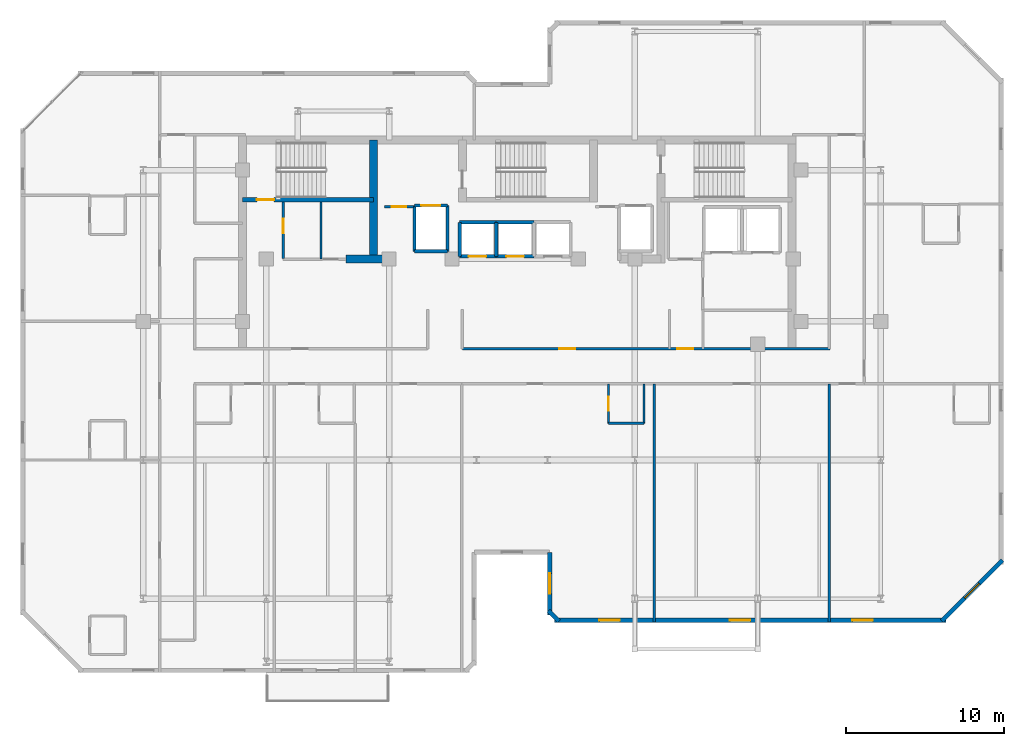
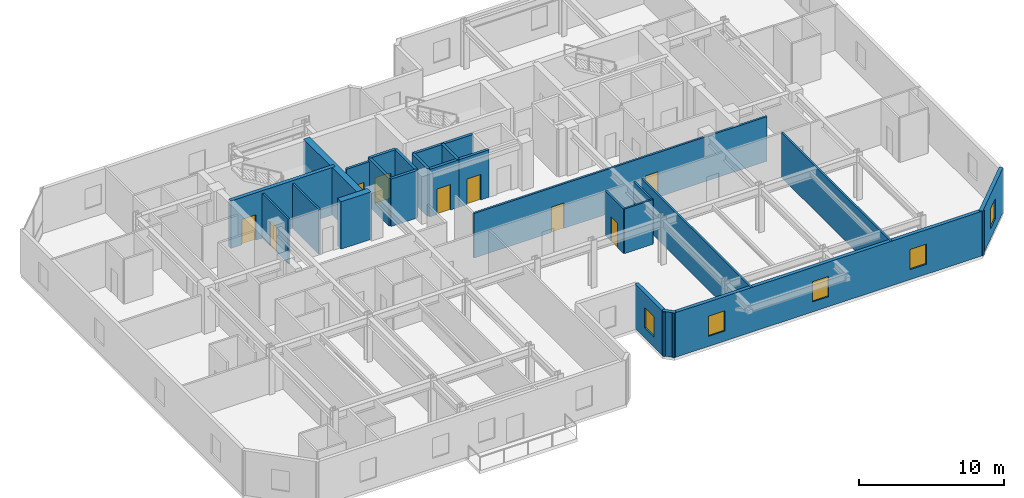
# One storey, part 5 of 10: 26 walls, 9 doors, 5 windows, 14 openings.
"""IFC4 building model written with IfcOpenShell, lengths in metres."""

from ifc_helpers import new_model, si_unit, direction, frame, frame_2d, origin, place, context, subcontext, project, spatial, rectangle, extrude, material, layer, layer_set, type_object, element, fill, save


model = new_model("IFC4")

# Units and contexts
model_context = context("Model", 3, precision=1e-05, world=origin(), true_north=direction((0.0, 1.0)))
body_context = subcontext(model_context, "Body", "Model", "MODEL_VIEW")
ifc_project = project(units=[si_unit("LENGTHUNIT", "METRE"), si_unit("AREAUNIT", "SQUARE_METRE"), si_unit("VOLUMEUNIT", "CUBIC_METRE"), si_unit("PLANEANGLEUNIT", "RADIAN"), si_unit("MASSUNIT", "GRAM", prefix="KILO")], contexts=[model_context])

# Site, building, storey
site_placement = place(None, origin())
site = spatial("IfcSite", under=ifc_project, at=site_placement, CompositionType="ELEMENT")
building_placement = place(site_placement, origin())
building = spatial("IfcBuilding", under=site, at=building_placement, Name="Kestravale Grand Hotel", CompositionType="ELEMENT")
storey_placement = place(building_placement, frame((0.0, 0.0, 281.39990234375)))
storey = spatial("IfcBuildingStorey", under=building, at=storey_placement, Name="L70", CompositionType="ELEMENT", Elevation=281.39990234375)

# Walls
ifc_material_1 = material(Name="Concrete f'c 50 MPa", Category="concrete")
ifc_layer_1 = layer(ifc_material_1, 0.5)
ifc_layer_set_1 = layer_set([ifc_layer_1], Name="EW-CORE-500")
wall_type_1 = type_object("IfcWallType", Name="EW-CORE-500", PredefinedType="SHEAR", material=ifc_layer_set_1)
wall_1_placement = place(storey_placement, frame((28.449951171875, 32.75, 0.0), z_axis=(0.0, 0.0, 1.0), x_axis=(1.0, 0.0, 0.0)))
element("IfcWall", 1, at=wall_1_placement, inside=storey, type_object=wall_type_1, Name="L70 core shear wall S1", PredefinedType="SHEAR", context=body_context, shape_type="SweptSolid", body=[
    extrude(rectangle(XDim=2.400146484375, YDim=0.5, at=frame_2d((1.2001953125, 0.0))), origin(), (0.0, 0.0, 1.0), 4.0),
])
wall_2_placement = place(storey_placement, frame((30.219970703125, 33.0, 0.0), z_axis=(0.0, 0.0, 1.0), x_axis=(0.0, 1.0, 0.0)))
element("IfcWall", 2, at=wall_2_placement, inside=storey, type_object=wall_type_1, Name="L70 core shear wall X1", PredefinedType="SHEAR", context=body_context, shape_type="SweptSolid", body=[
    extrude(rectangle(XDim=7.320068359375, YDim=0.5, at=frame_2d((3.66015625, 0.0))), origin(), (0.0, 0.0, 1.0), 4.0),
])

# Wall, opening, window
ifc_material_2 = material(Name="Precast concrete f'c 45 MPa", Category="concrete")
ifc_layer_2 = layer(ifc_material_2, 0.280029296875)
ifc_layer_set_2 = layer_set([ifc_layer_2], Name="EW-PREC-280")
wall_type_2 = type_object("IfcWallType", Name="EW-PREC-280", PredefinedType="SOLIDWALL", material=ifc_layer_set_2)
wall_3_placement = place(storey_placement, frame((41.389892578125, 14.139892578125, 0.0), z_axis=(0.0, 0.0, 1.0), x_axis=(0.0, -1.0, 0.0)))
wall_3 = element("IfcWall", 3, at=wall_3_placement, inside=storey, type_object=wall_type_2, Name="L70 fluted precast facade wall 5", PredefinedType="SOLIDWALL", context=body_context, shape_type="SweptSolid", body=[
    extrude(rectangle(XDim=3.97998046875, YDim=0.280029296875, at=frame_2d((1.989990234375, 0.0))), origin(), (0.0, 0.0, 1.0), 3.760009765625),
])
opening_1_placement = place(wall_3_placement, frame((1.340087890625, 0.0, 0.85009765625)))
opening_1 = element("IfcOpeningElement", 4, at=opening_1_placement, cuts=wall_3, Name="Opening W-GUEST-1300", PredefinedType="OPENING", context=body_context, shape_type="SweptSolid", body=[
    extrude(rectangle(XDim=1.300048828125, YDim=1.699951171875, at=frame_2d((0.64990234375, 0.85009765625))), frame((0.0, 0.14990234375, 0.0), z_axis=(0.0, -1.0, 0.0), x_axis=(1.0, 0.0, 0.0)), (0.0, 0.0, 1.0), 0.300048828125),
])
ifc_material_3 = material(Name="Insulated low-E double glazing in aluminium frame", Category="aluminium")
window_type = type_object("IfcWindowType", Name="W-GUEST-1300", PartitioningType="SINGLE_PANEL", PredefinedType="WINDOW", material=ifc_material_3)
window_1_placement = place(opening_1_placement, origin())
window_1 = element("IfcWindow", 5, at=window_1_placement, inside=storey, type_object=window_type, Name="L70 exterior window 5.1", OverallHeight=1.699951171875, OverallWidth=1.300048828125, PartitioningType="SINGLE_PANEL", PredefinedType="WINDOW", context=body_context, shape_type="SweptSolid", body=[
    extrude(rectangle(XDim=1.300048828125, YDim=1.699951171875, at=frame_2d((0.64990234375, 0.85009765625))), frame((0.0, 0.030029296875, 0.0), z_axis=(0.0, -1.0, 0.0), x_axis=(1.0, 0.0, 0.0)), (0.0, 0.0, 1.0), 0.06005859375),
])
fill(opening_1, window_1)

# Wall
wall_4_placement = place(storey_placement, frame((41.32080078125, 10.42724609375, 0.0), z_axis=(0.0, 0.0, 1.0), x_axis=(0.707106781187, -0.707106781187, 0.0)))
element("IfcWall", 6, at=wall_4_placement, inside=storey, type_object=wall_type_2, Name="L70 fluted precast facade wall 6", PredefinedType="SOLIDWALL", context=body_context, shape_type="SweptSolid", body=[
    extrude(rectangle(XDim=0.928466796875, YDim=0.280029296875, at=frame_2d((0.46435546875, 0.0))), origin(), (0.0, 0.0, 1.0), 3.760009765625),
])

# Wall, openings, windows
wall_5_placement = place(storey_placement, frame((41.7099609375, 9.840087890625, 0.0), z_axis=(0.0, 0.0, 1.0), x_axis=(1.0, 0.0, 0.0)))
wall_5 = element("IfcWall", 7, at=wall_5_placement, inside=storey, type_object=wall_type_2, Name="L70 fluted precast facade wall 7", PredefinedType="SOLIDWALL", context=body_context, shape_type="SweptSolid", body=[
    extrude(rectangle(XDim=24.830078125, YDim=0.280029296875, at=frame_2d((12.4150390625, 0.0))), origin(), (0.0, 0.0, 1.0), 3.760009765625),
])
opening_2_placement = place(wall_5_placement, frame((2.83837890625, 0.0, 0.85009765625)))
opening_2 = element("IfcOpeningElement", 8, at=opening_2_placement, cuts=wall_5, Name="Opening W-GUEST-1300", PredefinedType="OPENING", context=body_context, shape_type="SweptSolid", body=[
    extrude(rectangle(XDim=1.300048828125, YDim=1.699951171875, at=frame_2d((0.64990234375, 0.85009765625))), frame((0.0, 0.14990234375, 0.0), z_axis=(0.0, -1.0, 0.0), x_axis=(1.0, 0.0, 0.0)), (0.0, 0.0, 1.0), 0.300048828125),
])
opening_3_placement = place(wall_5_placement, frame((11.114990234375, 0.0, 0.85009765625)))
opening_3 = element("IfcOpeningElement", 9, at=opening_3_placement, cuts=wall_5, Name="Opening W-GUEST-1300", PredefinedType="OPENING", context=body_context, shape_type="SweptSolid", body=[
    extrude(rectangle(XDim=1.300048828125, YDim=1.699951171875, at=frame_2d((0.64990234375, 0.85009765625))), frame((0.0, 0.14990234375, 0.0), z_axis=(0.0, -1.0, 0.0), x_axis=(1.0, 0.0, 0.0)), (0.0, 0.0, 1.0), 0.300048828125),
])
opening_4_placement = place(wall_5_placement, frame((18.8916015625, 0.0, 0.85009765625)))
opening_4 = element("IfcOpeningElement", 10, at=opening_4_placement, cuts=wall_5, Name="Opening W-GUEST-1300", PredefinedType="OPENING", context=body_context, shape_type="SweptSolid", body=[
    extrude(rectangle(XDim=1.300048828125, YDim=1.699951171875, at=frame_2d((0.64990234375, 0.85009765625))), frame((0.0, 0.14990234375, 0.0), z_axis=(0.0, -1.0, 0.0), x_axis=(1.0, 0.0, 0.0)), (0.0, 0.0, 1.0), 0.300048828125),
])
window_2_placement = place(opening_2_placement, origin())
window_2 = element("IfcWindow", 11, at=window_2_placement, inside=storey, type_object=window_type, Name="L70 exterior window 7.1", OverallHeight=1.699951171875, OverallWidth=1.300048828125, PartitioningType="SINGLE_PANEL", PredefinedType="WINDOW", context=body_context, shape_type="SweptSolid", body=[
    extrude(rectangle(XDim=1.300048828125, YDim=1.699951171875, at=frame_2d((0.64990234375, 0.85009765625))), frame((0.0, 0.030029296875, 0.0), z_axis=(0.0, -1.0, 0.0), x_axis=(1.0, 0.0, 0.0)), (0.0, 0.0, 1.0), 0.06005859375),
])
fill(opening_2, window_2)
window_3_placement = place(opening_3_placement, origin())
window_3 = element("IfcWindow", 12, at=window_3_placement, inside=storey, type_object=window_type, Name="L70 exterior window 7.2", OverallHeight=1.699951171875, OverallWidth=1.300048828125, PartitioningType="SINGLE_PANEL", PredefinedType="WINDOW", context=body_context, shape_type="SweptSolid", body=[
    extrude(rectangle(XDim=1.300048828125, YDim=1.699951171875, at=frame_2d((0.64990234375, 0.85009765625))), frame((0.0, 0.030029296875, 0.0), z_axis=(0.0, -1.0, 0.0), x_axis=(1.0, 0.0, 0.0)), (0.0, 0.0, 1.0), 0.06005859375),
])
fill(opening_3, window_3)
window_4_placement = place(opening_4_placement, origin())
window_4 = element("IfcWindow", 13, at=window_4_placement, inside=storey, type_object=window_type, Name="L70 exterior window 7.3", OverallHeight=1.699951171875, OverallWidth=1.300048828125, PartitioningType="SINGLE_PANEL", PredefinedType="WINDOW", context=body_context, shape_type="SweptSolid", body=[
    extrude(rectangle(XDim=1.300048828125, YDim=1.699951171875, at=frame_2d((0.64990234375, 0.85009765625))), frame((0.0, 0.030029296875, 0.0), z_axis=(0.0, -1.0, 0.0), x_axis=(1.0, 0.0, 0.0)), (0.0, 0.0, 1.0), 0.06005859375),
])
fill(opening_4, window_4)

# Wall, opening, window
wall_6_placement = place(storey_placement, frame((66.272705078125, 9.770751953125, 0.0), z_axis=(0.0, 0.0, 1.0), x_axis=(0.707129162587, 0.707084399077, 0.0)))
wall_6 = element("IfcWall", 14, at=wall_6_placement, inside=storey, type_object=wall_type_2, Name="L70 fluted precast facade wall 8", PredefinedType="SOLIDWALL", context=body_context, shape_type="SweptSolid", body=[
    extrude(rectangle(XDim=5.4541015625, YDim=0.280029296875, at=frame_2d((2.72705078125, 0.0))), origin(), (0.0, 0.0, 1.0), 3.760009765625),
])
opening_5_placement = place(wall_6_placement, frame((2.076904296875, 0.0, 0.85009765625)))
opening_5 = element("IfcOpeningElement", 15, at=opening_5_placement, cuts=wall_6, Name="Opening W-GUEST-1300", PredefinedType="OPENING", context=body_context, shape_type="SweptSolid", body=[
    extrude(rectangle(XDim=1.300048828125, YDim=1.699951171875, at=frame_2d((0.64990234375, 0.85009765625))), frame((0.0, 0.14990234375, 0.0), z_axis=(0.0, -1.0, 0.0), x_axis=(1.0, 0.0, 0.0)), (0.0, 0.0, 1.0), 0.300048828125),
])
window_5_placement = place(opening_5_placement, origin())
window_5 = element("IfcWindow", 16, at=window_5_placement, inside=storey, type_object=window_type, Name="L70 exterior window 8.1", OverallHeight=1.699951171875, OverallWidth=1.300048828125, PartitioningType="SINGLE_PANEL", PredefinedType="WINDOW", context=body_context, shape_type="SweptSolid", body=[
    extrude(rectangle(XDim=1.300048828125, YDim=1.699951171875, at=frame_2d((0.64990234375, 0.85009765625))), frame((0.0, 0.030029296875, 0.0), z_axis=(0.0, -1.0, 0.0), x_axis=(1.0, 0.0, 0.0)), (0.0, 0.0, 1.0), 0.06005859375),
])
fill(opening_5, window_5)

# Wall, opening, door
ifc_material_4 = material(Name="Concrete f'c 45 MPa", Category="concrete")
ifc_layer_3 = layer(ifc_material_4, 0.300048828125)
ifc_layer_set_3 = layer_set([ifc_layer_3], Name="EW-STAIR-300")
wall_type_3 = type_object("IfcWallType", Name="EW-STAIR-300", PredefinedType="SHEAR", material=ifc_layer_set_3)
wall_7_placement = place(storey_placement, frame((21.89990234375, 36.52001953125, 0.0), z_axis=(0.0, 0.0, 1.0), x_axis=(1.0, 0.0, 0.0)))
wall_7 = element("IfcWall", 17, at=wall_7_placement, inside=storey, type_object=wall_type_3, Name="L70 stair enclosure shear wall SST1", PredefinedType="SHEAR", context=body_context, shape_type="SweptSolid", body=[
    extrude(rectangle(XDim=8.320068359375, YDim=0.300048828125, at=frame_2d((4.16015625, 0.0))), origin(), (0.0, 0.0, 1.0), 4.0),
])
opening_6_placement = place(wall_7_placement, frame((0.89990234375, 0.0, 0.0)))
opening_6 = element("IfcOpeningElement", 18, at=opening_6_placement, cuts=wall_7, Name="Opening D-ST-1100", PredefinedType="OPENING", context=body_context, shape_type="SweptSolid", body=[
    extrude(rectangle(XDim=1.10009765625, YDim=2.14990234375, at=frame_2d((0.550048828125, 1.074951171875))), frame((0.0, 0.159912109375, 0.0), z_axis=(0.0, -1.0, 0.0), x_axis=(1.0, 0.0, 0.0)), (0.0, 0.0, 1.0), 0.320068359375),
])
ifc_material_5 = material(Name="Galvanised 90-minute fire-rated steel stair door", Category="steel")
door_type_1 = type_object("IfcDoorType", Name="D-ST-1100", OperationType="NOTDEFINED", PredefinedType="DOOR", material=ifc_material_5)
door_1_placement = place(opening_6_placement, origin())
door_1 = element("IfcDoor", 19, at=door_1_placement, inside=storey, type_object=door_type_1, Name="L70 Stair ST-1 fire door", OperationType="SINGLE_SWING_RIGHT", OverallHeight=2.14990234375, OverallWidth=1.10009765625, PredefinedType="DOOR", context=body_context, shape_type="SweptSolid", body=[
    extrude(rectangle(XDim=1.10009765625, YDim=2.14990234375, at=frame_2d((0.550048828125, 1.074951171875))), frame((0.0, 0.02490234375, 0.0), z_axis=(0.0, -1.0, 0.0), x_axis=(1.0, 0.0, 0.0)), (0.0, 0.0, 1.0), 0.050048828125),
])
fill(opening_6, door_1)

ifc_material_6 = material(Name="Acoustic fire-rated gypsum board partition", Category="other")
ifc_layer_4 = layer(ifc_material_6, 0.159912109375)
ifc_layer_set_4 = layer_set([ifc_layer_4], Name="IW-CORR-160")
wall_type_4 = type_object("IfcWallType", Name="IW-CORR-160", PredefinedType="PARTITIONING", material=ifc_layer_set_4)
wall_8_placement = place(storey_placement, frame((24.47998046875, 32.800048828125, 0.0), z_axis=(0.0, 0.0, 1.0), x_axis=(0.0, 1.0, 0.0)))
wall_8 = element("IfcWall", 20, at=wall_8_placement, inside=storey, type_object=wall_type_4, Name="L70 west core vestibule wall", PredefinedType="PARTITIONING", context=body_context, shape_type="SweptSolid", body=[
    extrude(rectangle(XDim=3.570068359375, YDim=0.159912109375, at=frame_2d((1.78515625, 0.0))), origin(), (0.0, 0.0, 1.0), 3.760009765625),
])
opening_7_placement = place(wall_8_placement, frame((1.603515625, 0.0, 0.0)))
opening_7 = element("IfcOpeningElement", 21, at=opening_7_placement, cuts=wall_8, Name="Opening D-SH-900", PredefinedType="OPENING", context=body_context, shape_type="SweptSolid", body=[
    extrude(rectangle(XDim=0.89990234375, YDim=2.10009765625, at=frame_2d((0.449951171875, 1.050048828125))), frame((0.0, 0.08984375, 0.0), z_axis=(0.0, -1.0, 0.0), x_axis=(1.0, 0.0, 0.0)), (0.0, 0.0, 1.0), 0.179931640625),
])
ifc_material_7 = material(Name="Galvanised 90-minute shaft and service fire door", Category="steel")
door_type_2 = type_object("IfcDoorType", Name="D-SH-900", OperationType="NOTDEFINED", PredefinedType="DOOR", material=ifc_material_7)
door_2_placement = place(opening_7_placement, origin())
door_2 = element("IfcDoor", 22, at=door_2_placement, inside=storey, type_object=door_type_2, Name="D-L70-HK", OperationType="SINGLE_SWING_RIGHT", OverallHeight=2.10009765625, OverallWidth=0.89990234375, PredefinedType="DOOR", context=body_context, shape_type="SweptSolid", body=[
    extrude(rectangle(XDim=0.89990234375, YDim=2.10009765625, at=frame_2d((0.449951171875, 1.050048828125))), frame((0.0, 0.02490234375, 0.0), z_axis=(0.0, -1.0, 0.0), x_axis=(1.0, 0.0, 0.0)), (0.0, 0.0, 1.0), 0.050048828125),
])
fill(opening_7, door_2)

# Wall, openings, doors
wall_9_placement = place(storey_placement, frame((35.85009765625, 27.06005859375, 0.0), z_axis=(0.0, 0.0, 1.0), x_axis=(1.0, 0.0, 0.0)))
wall_9 = element("IfcWall", 23, at=wall_9_placement, inside=storey, type_object=wall_type_4, Name="W-L70-CE-N", PredefinedType="PARTITIONING", context=body_context, shape_type="SweptSolid", body=[
    extrude(rectangle(XDim=23.349853515625, YDim=0.159912109375, at=frame_2d((11.6748046875, 0.0))), origin(), (0.0, 0.0, 1.0), 3.760009765625),
])
opening_8_placement = place(wall_9_placement, frame((6.14990234375, 0.0, 0.0)))
opening_8 = element("IfcOpeningElement", 24, at=opening_8_placement, cuts=wall_9, Name="Opening D-GUEST-1000", PredefinedType="OPENING", context=body_context, shape_type="SweptSolid", body=[
    extrude(rectangle(XDim=1.0, YDim=2.14990234375, at=frame_2d((0.5, 1.074951171875))), frame((0.0, 0.08984375, 0.0), z_axis=(0.0, -1.0, 0.0), x_axis=(1.0, 0.0, 0.0)), (0.0, 0.0, 1.0), 0.179931640625),
])
opening_9_placement = place(wall_9_placement, frame((13.64990234375, 0.0, 0.0)))
opening_9 = element("IfcOpeningElement", 25, at=opening_9_placement, cuts=wall_9, Name="Opening D-GUEST-1000", PredefinedType="OPENING", context=body_context, shape_type="SweptSolid", body=[
    extrude(rectangle(XDim=1.0, YDim=2.14990234375, at=frame_2d((0.5, 1.074951171875))), frame((0.0, 0.08984375, 0.0), z_axis=(0.0, -1.0, 0.0), x_axis=(1.0, 0.0, 0.0)), (0.0, 0.0, 1.0), 0.179931640625),
])
ifc_material_8 = material(Name="Accessible walnut veneer hotel entrance fire door", Category="wood")
door_type_3 = type_object("IfcDoorType", Name="D-GUEST-1000", OperationType="NOTDEFINED", PredefinedType="DOOR", material=ifc_material_8)
door_3_placement = place(opening_8_placement, origin())
door_3 = element("IfcDoor", 26, at=door_3_placement, inside=storey, type_object=door_type_3, Name="D-L70-RECL-E1", OperationType="SINGLE_SWING_RIGHT", OverallHeight=2.14990234375, OverallWidth=1.0, PredefinedType="DOOR", context=body_context, shape_type="SweptSolid", body=[
    extrude(rectangle(XDim=1.0, YDim=2.14990234375, at=frame_2d((0.5, 1.074951171875))), frame((0.0, 0.02490234375, 0.0), z_axis=(0.0, -1.0, 0.0), x_axis=(1.0, 0.0, 0.0)), (0.0, 0.0, 1.0), 0.050048828125),
])
fill(opening_8, door_3)
door_4_placement = place(opening_9_placement, origin())
door_4 = element("IfcDoor", 27, at=door_4_placement, inside=storey, type_object=door_type_3, Name="D-L70-RECL-E2", OperationType="SINGLE_SWING_LEFT", OverallHeight=2.14990234375, OverallWidth=1.0, PredefinedType="DOOR", context=body_context, shape_type="SweptSolid", body=[
    extrude(rectangle(XDim=1.0, YDim=2.14990234375, at=frame_2d((0.5, 1.074951171875))), frame((0.0, 0.02490234375, 0.0), z_axis=(0.0, -1.0, 0.0), x_axis=(1.0, 0.0, 0.0)), (0.0, 0.0, 1.0), 0.050048828125),
])
fill(opening_9, door_4)

# Wall, opening, door
ifc_material_9 = material(Name="Fire-rated gypsum board on steel studs with mineral wool", Category="steel")
ifc_layer_5 = layer(ifc_material_9, 0.179931640625)
ifc_layer_set_5 = layer_set([ifc_layer_5], Name="IW-FSAE-180")
wall_type_5 = type_object("IfcWallType", Name="IW-FSAE-180", PredefinedType="PARTITIONING", material=ifc_layer_set_5)
wall_10_placement = place(storey_placement, frame((30.89990234375, 36.080078125, 0.0), z_axis=(0.0, 0.0, 1.0), x_axis=(1.0, 0.0, 0.0)))
wall_10 = element("IfcWall", 28, at=wall_10_placement, inside=storey, type_object=wall_type_5, Name="L70 FSAE Lobby 1 smoke barrier", PredefinedType="PARTITIONING", context=body_context, shape_type="SweptSolid", body=[
    extrude(rectangle(XDim=1.85009765625, YDim=0.179931640625, at=frame_2d((0.925048828125, 0.0))), origin(), (0.0, 0.0, 1.0), 3.760009765625),
])
opening_10_placement = place(wall_10_placement, frame((0.47998046875, 0.0, 0.0)))
opening_10 = element("IfcOpeningElement", 29, at=opening_10_placement, cuts=wall_10, Name="Opening D-FSAE-1000", PredefinedType="OPENING", context=body_context, shape_type="SweptSolid", body=[
    extrude(rectangle(XDim=0.89990234375, YDim=2.14990234375, at=frame_2d((0.449951171875, 1.074951171875))), frame((0.0, 0.099853515625, 0.0), z_axis=(0.0, -1.0, 0.0), x_axis=(1.0, 0.0, 0.0)), (0.0, 0.0, 1.0), 0.199951171875),
])
ifc_material_10 = material(Name="Smoke-gasketed FSAE lobby fire door", Category="steel")
door_type_4 = type_object("IfcDoorType", Name="D-FSAE-1000", OperationType="NOTDEFINED", PredefinedType="DOOR", material=ifc_material_10)
door_5_placement = place(opening_10_placement, origin())
door_5 = element("IfcDoor", 30, at=door_5_placement, inside=storey, type_object=door_type_4, Name="L70 FSAE Lobby 1 fire door", OperationType="SINGLE_SWING_RIGHT", OverallHeight=2.14990234375, OverallWidth=0.89990234375, PredefinedType="DOOR", context=body_context, shape_type="SweptSolid", body=[
    extrude(rectangle(XDim=0.89990234375, YDim=2.14990234375, at=frame_2d((0.449951171875, 1.074951171875))), frame((0.0, 0.02490234375, 0.0), z_axis=(0.0, -1.0, 0.0), x_axis=(1.0, 0.0, 0.0)), (0.0, 0.0, 1.0), 0.050048828125),
])
fill(opening_10, door_5)

ifc_material_11 = material(Name="Moisture-resistant tile-backer plumbing chase wall", Category="other")
ifc_layer_6 = layer(ifc_material_11, 0.139892578125)
ifc_layer_set_6 = layer_set([ifc_layer_6], Name="IW-PLB-140")
wall_type_6 = type_object("IfcWallType", Name="IW-PLB-140", PredefinedType="PLUMBINGWALL", material=ifc_layer_set_6)
wall_11_placement = place(storey_placement, frame((45.1201171875, 22.330078125, 0.0), z_axis=(0.0, 0.0, 1.0), x_axis=(0.0, 1.0, 0.0)))
wall_11 = element("IfcWall", 31, at=wall_11_placement, inside=storey, type_object=wall_type_6, Name="W-L70-U03-BW", PredefinedType="PLUMBINGWALL", context=body_context, shape_type="SweptSolid", body=[
    extrude(rectangle(XDim=2.489990234375, YDim=0.139892578125, at=frame_2d((1.2451171875, 0.0))), origin(), (0.0, 0.0, 1.0), 3.760009765625),
])
opening_11_placement = place(wall_11_placement, frame((0.804931640625, 0.0, 0.0)))
opening_11 = element("IfcOpeningElement", 32, at=opening_11_placement, cuts=wall_11, Name="Opening D-BATH-880", PredefinedType="OPENING", context=body_context, shape_type="SweptSolid", body=[
    extrude(rectangle(XDim=0.8798828125, YDim=2.050048828125, at=frame_2d((0.43994140625, 1.02490234375))), frame((0.0, 0.079833984375, 0.0), z_axis=(0.0, -1.0, 0.0), x_axis=(1.0, 0.0, 0.0)), (0.0, 0.0, 1.0), 0.159912109375),
])
ifc_material_12 = material(Name="Moisture-sealed walnut en-suite bathroom door", Category="wood")
door_type_5 = type_object("IfcDoorType", Name="D-BATH-880", OperationType="NOTDEFINED", PredefinedType="DOOR", material=ifc_material_12)
door_6_placement = place(opening_11_placement, origin())
door_6 = element("IfcDoor", 33, at=door_6_placement, inside=storey, type_object=door_type_5, Name="D-L70-U03-BATH", OperationType="SINGLE_SWING_LEFT", OverallHeight=2.050048828125, OverallWidth=0.8798828125, PredefinedType="DOOR", context=body_context, shape_type="SweptSolid", body=[
    extrude(rectangle(XDim=0.8798828125, YDim=2.050048828125, at=frame_2d((0.43994140625, 1.02490234375))), frame((0.0, 0.02490234375, 0.0), z_axis=(0.0, -1.0, 0.0), x_axis=(1.0, 0.0, 0.0)), (0.0, 0.0, 1.0), 0.050048828125),
])
fill(opening_11, door_6)

# Walls
wall_12_placement = place(storey_placement, frame((47.3701171875, 22.330078125, 0.0), z_axis=(0.0, 0.0, 1.0), x_axis=(0.0, 1.0, 0.0)))
element("IfcWall", 34, at=wall_12_placement, inside=storey, type_object=wall_type_6, Name="W-L70-U03-BE", PredefinedType="PLUMBINGWALL", context=body_context, shape_type="SweptSolid", body=[
    extrude(rectangle(XDim=2.489990234375, YDim=0.139892578125, at=frame_2d((1.2451171875, 0.0))), origin(), (0.0, 0.0, 1.0), 3.760009765625),
])
wall_13_placement = place(storey_placement, frame((45.1201171875, 22.330078125, 0.0), z_axis=(0.0, 0.0, 1.0), x_axis=(1.0, 0.0, 0.0)))
element("IfcWall", 35, at=wall_13_placement, inside=storey, type_object=wall_type_6, Name="W-L70-U03-BS", PredefinedType="PLUMBINGWALL", context=body_context, shape_type="SweptSolid", body=[
    extrude(rectangle(XDim=2.25, YDim=0.139892578125, at=frame_2d((1.125, 0.0))), origin(), (0.0, 0.0, 1.0), 3.760009765625),
])
ifc_material_13 = material(Name="Concrete f'c 45 MPa", Category="concrete")
ifc_layer_7 = layer(ifc_material_13, 0.199951171875)
ifc_layer_set_7 = layer_set([ifc_layer_7], Name="IW-SHAFT-200")
wall_type_7 = type_object("IfcWallType", Name="IW-SHAFT-200", PredefinedType="SHEAR", material=ifc_layer_set_7)
for number, where, z_axis, x_axis, name in (
    (36, (35.679931640625, 32.919921875, 0.0), (0.0, 0.0, 1.0), (0.0, 1.0, 0.0), "L70 PL-X1 west shaft wall"),
    (37, (38.0, 32.919921875, 0.0), (0.0, 0.0, 1.0), (0.0, 1.0, 0.0), "L70 PL-X2 west shaft wall"),
):
    element("IfcWall", number, at=place(storey_placement, frame(where, z_axis=z_axis, x_axis=x_axis)), inside=storey, type_object=wall_type_7, Name=name, PredefinedType="SHEAR", context=body_context, shape_type="SweptSolid", body=[
        extrude(rectangle(XDim=2.16015625, YDim=0.199951171875, at=frame_2d((1.080078125, 0.0))), origin(), (0.0, 0.0, 1.0), 4.0),
    ])
for number, where, z_axis, x_axis, name in (
    (38, (32.804931640625, 33.2451171875, 0.0), (0.0, 0.0, 1.0), (0.0, 1.0, 0.0), "L70 FL-1 west shaft wall"),
    (39, (34.89501953125, 33.2451171875, 0.0), (0.0, 0.0, 1.0), (0.0, 1.0, 0.0), "L70 FL-1 east shaft wall"),
):
    element("IfcWall", number, at=place(storey_placement, frame(where, z_axis=z_axis, x_axis=x_axis)), inside=storey, type_object=wall_type_7, Name=name, PredefinedType="SHEAR", context=body_context, shape_type="SweptSolid", body=[
        extrude(rectangle(XDim=2.909912109375, YDim=0.199951171875, at=frame_2d((1.455078125, 0.0))), origin(), (0.0, 0.0, 1.0), 4.0),
    ])
ifc_material_14 = material(Name="Concrete f'c 45 MPa", Category="concrete")
ifc_layer_8 = layer(ifc_material_14, 0.219970703125)
ifc_layer_set_8 = layer_set([ifc_layer_8], Name="IW-SHAFT-220")
wall_type_8 = type_object("IfcWallType", Name="IW-SHAFT-220", PredefinedType="SHEAR", material=ifc_layer_set_8)
wall_14_placement = place(storey_placement, frame((35.679931640625, 35.080078125, 0.0), z_axis=(0.0, 0.0, 1.0), x_axis=(1.0, 0.0, 0.0)))
element("IfcWall", 40, at=wall_14_placement, inside=storey, type_object=wall_type_8, Name="L70 PL-X1 north shaft wall", PredefinedType="SHEAR", context=body_context, shape_type="SweptSolid", body=[
    extrude(rectangle(XDim=2.320068359375, YDim=0.219970703125, at=frame_2d((1.16015625, 0.0))), origin(), (0.0, 0.0, 1.0), 4.0),
])

# Wall, opening, door
wall_15_placement = place(storey_placement, frame((35.679931640625, 32.919921875, 0.0), z_axis=(0.0, 0.0, 1.0), x_axis=(1.0, 0.0, 0.0)))
wall_15 = element("IfcWall", 41, at=wall_15_placement, inside=storey, type_object=wall_type_8, Name="L70 PL-X1 south shaft wall", PredefinedType="SHEAR", context=body_context, shape_type="SweptSolid", body=[
    extrude(rectangle(XDim=2.320068359375, YDim=0.219970703125, at=frame_2d((1.16015625, 0.0))), origin(), (0.0, 0.0, 1.0), 4.0),
])
opening_12_placement = place(wall_15_placement, frame((0.570068359375, 0.0, 0.0)))
opening_12 = element("IfcOpeningElement", 42, at=opening_12_placement, cuts=wall_15, Name="Opening LD-PAX-1100", PredefinedType="OPENING", context=body_context, shape_type="SweptSolid", body=[
    extrude(rectangle(XDim=1.10009765625, YDim=2.14990234375, at=frame_2d((0.550048828125, 1.074951171875))), frame((0.0, 0.119873046875, 0.0), z_axis=(0.0, -1.0, 0.0), x_axis=(1.0, 0.0, 0.0)), (0.0, 0.0, 1.0), 0.239990234375),
])
ifc_material_15 = material(Name="Champagne-bronze center-opening sliding elevator landing door", Category="steel")
door_type_6 = type_object("IfcDoorType", Name="LD-PAX-1100", OperationType="NOTDEFINED", PredefinedType="DOOR", material=ifc_material_15)
door_7_placement = place(opening_12_placement, origin())
door_7 = element("IfcDoor", 43, at=door_7_placement, inside=storey, type_object=door_type_6, Name="L70 PL-X1 elevator landing sliding door", OperationType="DOUBLE_DOOR_SLIDING", OverallHeight=2.14990234375, OverallWidth=1.10009765625, PredefinedType="DOOR", context=body_context, shape_type="SweptSolid", body=[
    extrude(rectangle(XDim=1.10009765625, YDim=2.14990234375, at=frame_2d((0.550048828125, 1.074951171875))), frame((0.0, 0.02490234375, 0.0), z_axis=(0.0, -1.0, 0.0), x_axis=(1.0, 0.0, 0.0)), (0.0, 0.0, 1.0), 0.050048828125),
])
fill(opening_12, door_7)

# Wall
wall_16_placement = place(storey_placement, frame((38.0, 35.080078125, 0.0), z_axis=(0.0, 0.0, 1.0), x_axis=(1.0, 0.0, 0.0)))
element("IfcWall", 44, at=wall_16_placement, inside=storey, type_object=wall_type_8, Name="L70 PL-X2 north shaft wall", PredefinedType="SHEAR", context=body_context, shape_type="SweptSolid", body=[
    extrude(rectangle(XDim=2.39990234375, YDim=0.219970703125, at=frame_2d((1.199951171875, 0.0))), origin(), (0.0, 0.0, 1.0), 4.0),
])

# Wall, opening, door
wall_17_placement = place(storey_placement, frame((38.0, 32.919921875, 0.0), z_axis=(0.0, 0.0, 1.0), x_axis=(1.0, 0.0, 0.0)))
wall_17 = element("IfcWall", 45, at=wall_17_placement, inside=storey, type_object=wall_type_8, Name="L70 PL-X2 south shaft wall", PredefinedType="SHEAR", context=body_context, shape_type="SweptSolid", body=[
    extrude(rectangle(XDim=2.39990234375, YDim=0.219970703125, at=frame_2d((1.199951171875, 0.0))), origin(), (0.0, 0.0, 1.0), 4.0),
])
opening_13_placement = place(wall_17_placement, frame((0.64990234375, 0.0, 0.0)))
opening_13 = element("IfcOpeningElement", 46, at=opening_13_placement, cuts=wall_17, Name="Opening LD-PAX-1100", PredefinedType="OPENING", context=body_context, shape_type="SweptSolid", body=[
    extrude(rectangle(XDim=1.10009765625, YDim=2.14990234375, at=frame_2d((0.550048828125, 1.074951171875))), frame((0.0, 0.119873046875, 0.0), z_axis=(0.0, -1.0, 0.0), x_axis=(1.0, 0.0, 0.0)), (0.0, 0.0, 1.0), 0.239990234375),
])
door_8_placement = place(opening_13_placement, origin())
door_8 = element("IfcDoor", 47, at=door_8_placement, inside=storey, type_object=door_type_6, Name="L70 PL-X2 elevator landing sliding door", OperationType="DOUBLE_DOOR_SLIDING", OverallHeight=2.14990234375, OverallWidth=1.10009765625, PredefinedType="DOOR", context=body_context, shape_type="SweptSolid", body=[
    extrude(rectangle(XDim=1.10009765625, YDim=2.14990234375, at=frame_2d((0.550048828125, 1.074951171875))), frame((0.0, 0.02490234375, 0.0), z_axis=(0.0, -1.0, 0.0), x_axis=(1.0, 0.0, 0.0)), (0.0, 0.0, 1.0), 0.050048828125),
])
fill(opening_13, door_8)

wall_18_placement = place(storey_placement, frame((32.804931640625, 36.155029296875, 0.0), z_axis=(0.0, 0.0, 1.0), x_axis=(1.0, 0.0, 0.0)))
wall_18 = element("IfcWall", 48, at=wall_18_placement, inside=storey, type_object=wall_type_8, Name="L70 FL-1 north shaft wall", PredefinedType="SHEAR", context=body_context, shape_type="SweptSolid", body=[
    extrude(rectangle(XDim=2.090087890625, YDim=0.219970703125, at=frame_2d((1.044921875, 0.0))), origin(), (0.0, 0.0, 1.0), 4.0),
])
opening_14_placement = place(wall_18_placement, frame((0.445068359375, 0.0, 0.0)))
opening_14 = element("IfcOpeningElement", 49, at=opening_14_placement, cuts=wall_18, Name="Opening LD-FSAE-1200", PredefinedType="OPENING", context=body_context, shape_type="SweptSolid", body=[
    extrude(rectangle(XDim=1.199951171875, YDim=2.14990234375, at=frame_2d((0.60009765625, 1.074951171875))), frame((0.0, 0.119873046875, 0.0), z_axis=(0.0, -1.0, 0.0), x_axis=(1.0, 0.0, 0.0)), (0.0, 0.0, 1.0), 0.239990234375),
])
ifc_material_16 = material(Name="Stainless fire-service sliding elevator landing door", Category="steel")
door_type_7 = type_object("IfcDoorType", Name="LD-FSAE-1200", OperationType="NOTDEFINED", PredefinedType="DOOR", material=ifc_material_16)
door_9_placement = place(opening_14_placement, origin())
door_9 = element("IfcDoor", 50, at=door_9_placement, inside=storey, type_object=door_type_7, Name="L70 FL-1 elevator landing sliding door", OperationType="DOUBLE_DOOR_SLIDING", OverallHeight=2.14990234375, OverallWidth=1.199951171875, PredefinedType="DOOR", context=body_context, shape_type="SweptSolid", body=[
    extrude(rectangle(XDim=1.199951171875, YDim=2.14990234375, at=frame_2d((0.60009765625, 1.074951171875))), frame((0.0, 0.02490234375, 0.0), z_axis=(0.0, -1.0, 0.0), x_axis=(1.0, 0.0, 0.0)), (0.0, 0.0, 1.0), 0.050048828125),
])
fill(opening_14, door_9)

# Walls
wall_19_placement = place(storey_placement, frame((32.804931640625, 33.2451171875, 0.0), z_axis=(0.0, 0.0, 1.0), x_axis=(1.0, 0.0, 0.0)))
element("IfcWall", 51, at=wall_19_placement, inside=storey, type_object=wall_type_8, Name="L70 FL-1 south shaft wall", PredefinedType="SHEAR", context=body_context, shape_type="SweptSolid", body=[
    extrude(rectangle(XDim=2.090087890625, YDim=0.219970703125, at=frame_2d((1.044921875, 0.0))), origin(), (0.0, 0.0, 1.0), 4.0),
])
ifc_material_17 = material(Name="Double-stud STC 52 acoustic demising partition", Category="other")
ifc_layer_9 = layer(ifc_material_17, 0.14990234375)
ifc_layer_set_9 = layer_set([ifc_layer_9], Name="IW-UNIT-150")
wall_type_9 = type_object("IfcWallType", Name="IW-UNIT-150", PredefinedType="PARTITIONING", material=ifc_layer_set_9)
wall_20_placement = place(storey_placement, frame((26.8798828125, 32.75, 0.0), z_axis=(0.0, 0.0, 1.0), x_axis=(0.0, 1.0, 0.0)))
element("IfcWall", 52, at=wall_20_placement, inside=storey, type_object=wall_type_9, Name="W-L70-CC3-V", PredefinedType="PARTITIONING", context=body_context, shape_type="SweptSolid", body=[
    extrude(rectangle(XDim=3.6201171875, YDim=0.14990234375, at=frame_2d((1.81005859375, 0.0))), origin(), (0.0, 0.0, 1.0), 3.760009765625),
])
for number, where, z_axis, x_axis, name in (
    (53, (48.02001953125, 9.719970703125, 0.0), (0.0, 0.0, 1.0), (0.0, 1.0, 0.0), "W-L70-ES-1"),
    (54, (59.139892578125, 9.719970703125, 0.0), (0.0, 0.0, 1.0), (0.0, 1.0, 0.0), "W-L70-SEC-W"),
):
    element("IfcWall", number, at=place(storey_placement, frame(where, z_axis=z_axis, x_axis=x_axis)), inside=storey, type_object=wall_type_9, Name=name, PredefinedType="PARTITIONING", context=body_context, shape_type="SweptSolid", body=[
        extrude(rectangle(XDim=15.1201171875, YDim=0.14990234375, at=frame_2d((7.56005859375, 0.0))), origin(), (0.0, 0.0, 1.0), 3.760009765625),
    ])

save(model, "model.ifc")
